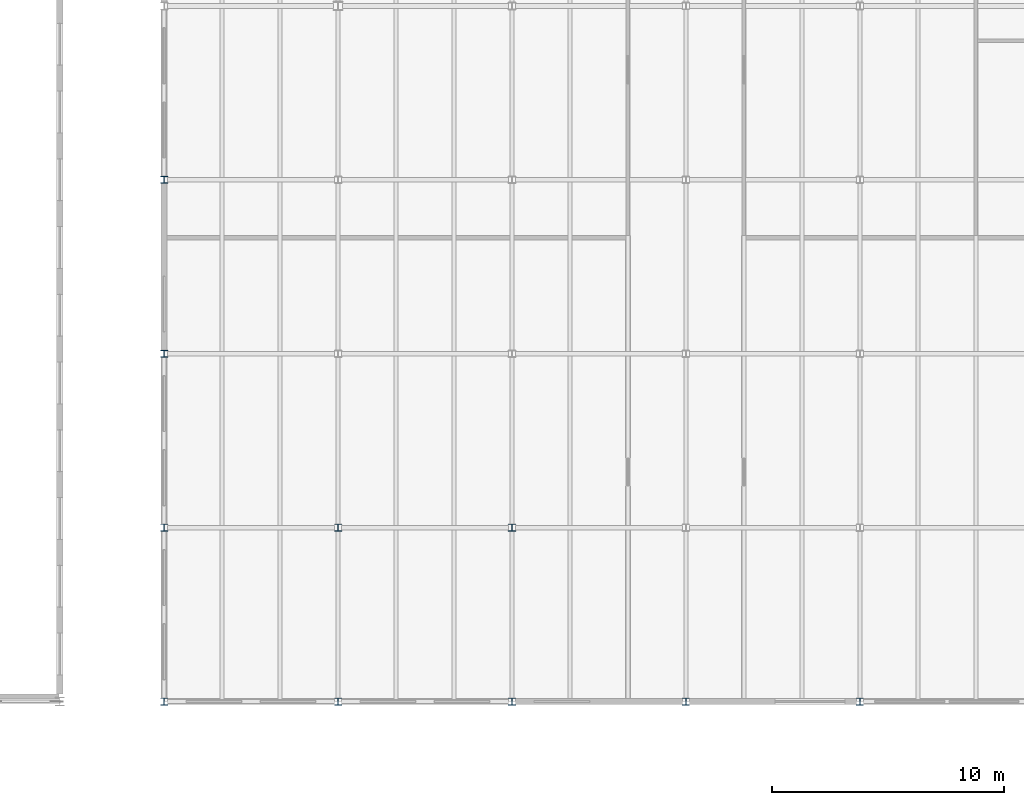
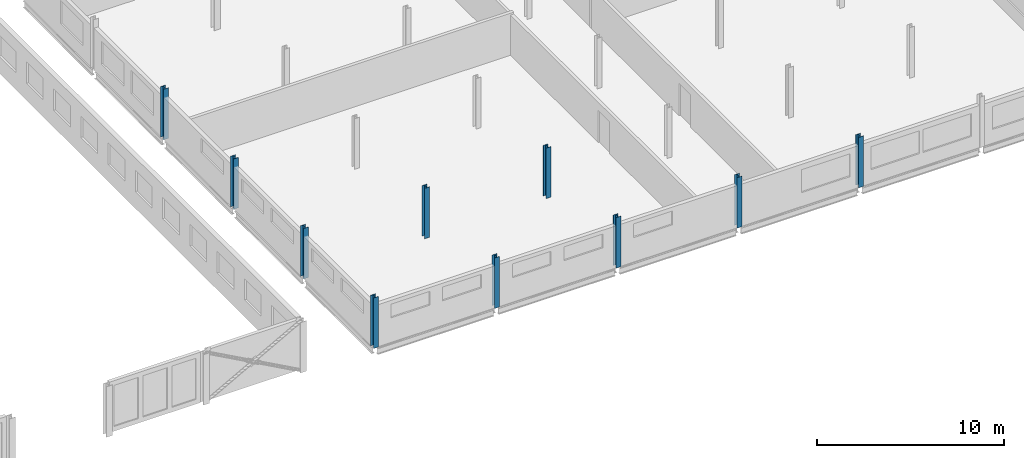
# One storey, part 5 of 199: 10 columns.
"""IFC4 building model written with IfcOpenShell, lengths in metres."""

from ifc_helpers import new_model, si_unit, direction, frame, origin, origin_2d, place, context, subcontext, project, spatial, i_section, extrude, material, material_profile, profile_set, type_object, element, save


model = new_model("IFC4")

# Units and contexts
model_context = context("Model", 3, precision=1e-05, world=origin(), true_north=direction((0.0, 1.0)))
body_context = subcontext(model_context, "Body", "Model", "MODEL_VIEW")
ifc_project = project(units=[si_unit("LENGTHUNIT", "METRE"), si_unit("AREAUNIT", "SQUARE_METRE"), si_unit("VOLUMEUNIT", "CUBIC_METRE"), si_unit("PLANEANGLEUNIT", "RADIAN"), si_unit("MASSUNIT", "GRAM", prefix="KILO")], contexts=[model_context])

# Site, building, storey
site_placement = place(None, origin())
site = spatial("IfcSite", under=ifc_project, at=site_placement, CompositionType="ELEMENT")
building_placement = place(site_placement, origin())
building = spatial("IfcBuilding", under=site, at=building_placement, Name="Parallax Yard Mobility Hub", CompositionType="ELEMENT")
storey_placement = place(building_placement, frame((0.0, 0.0, 9.89990234375)))
storey = spatial("IfcBuildingStorey", under=building, at=storey_placement, Name="L03", CompositionType="ELEMENT", Elevation=9.89990234375)

# Columns
ifc_material = material(Name="Steel ASTM A992", Category="steel")
ifc_material_profile = material_profile(ifc_material, i_section(OverallWidth=0.304931640625, OverallDepth=0.306884765625, WebThickness=0.010009765625, FlangeThickness=0.015380859375, FilletRadius=0.01513671875, at=origin_2d()), Name="W310x97")
ifc_profile_set = profile_set([ifc_material_profile], Name="Steel ASTM A992")
column_type = type_object("IfcColumnType", Name="W310x97 column", PredefinedType="COLUMN", material=ifc_profile_set)
for number, where, z_axis, x_axis, name in (
    (1, (97.5, 7.5, 0.0), (0.0, 0.0, 1.0), (1.0, 0.0, 0.0), "Column C1 level L03 at B/14 of mobility service centre and workshops"),
    (2, (97.5, 15.0, 0.0), (0.0, 0.0, 1.0), (1.0, 0.0, 0.0), "Column C1 level L03 at C/14 of mobility service centre and workshops"),
    (3, (97.5, 22.5, 0.0), (0.0, 0.0, 1.0), (1.0, 0.0, 0.0), "Column C1 level L03 at D/14 of mobility service centre and workshops"),
    (4, (97.5, 30.0, 0.0), (0.0, 0.0, 1.0), (1.0, 0.0, 0.0), "Column C1 level L03 at E/14 of mobility service centre and workshops"),
    (5, (105.0, 7.5, 0.0), (0.0, 0.0, 1.0), (1.0, 0.0, 0.0), "Column C1 level L03 at B/15 of mobility service centre and workshops"),
    (6, (105.0, 15.0, 0.0), (0.0, 0.0, 1.0), (1.0, 0.0, 0.0), "Column C1 level L03 at C/15 of mobility service centre and workshops"),
    (7, (112.5, 7.5, 0.0), (0.0, 0.0, 1.0), (1.0, 0.0, 0.0), "Column C1 level L03 at B/16 of mobility service centre and workshops"),
    (8, (112.5, 15.0, 0.0), (0.0, 0.0, 1.0), (1.0, 0.0, 0.0), "Column C1 level L03 at C/16 of mobility service centre and workshops"),
    (9, (120.0, 7.5, 0.0), (0.0, 0.0, 1.0), (1.0, 0.0, 0.0), "Column C1 level L03 at B/17 of mobility service centre and workshops"),
    (10, (127.5, 7.5, 0.0), (0.0, 0.0, 1.0), (1.0, 0.0, 0.0), "Column C1 level L03 at B/18 of mobility service centre and workshops"),
):
    element("IfcColumn", number, at=place(storey_placement, frame(where, z_axis=z_axis, x_axis=x_axis)), inside=storey, type_object=column_type, Name=name, PredefinedType="COLUMN", context=body_context, shape_type="SweptSolid", body=[
        extrude(i_section(OverallWidth=0.304931640625, OverallDepth=0.306884765625, WebThickness=0.010009765625, FlangeThickness=0.015380859375, FilletRadius=0.01513671875, at=origin_2d()), origin(), (0.0, 0.0, 1.0), 3.300048828125),
    ])

save(model, "model.ifc")
